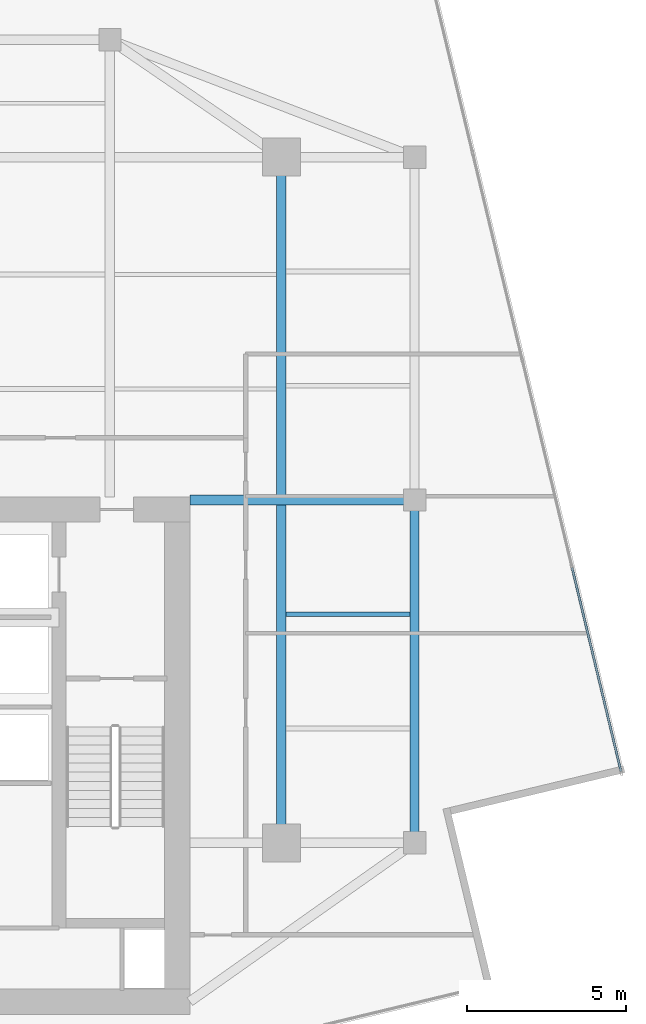
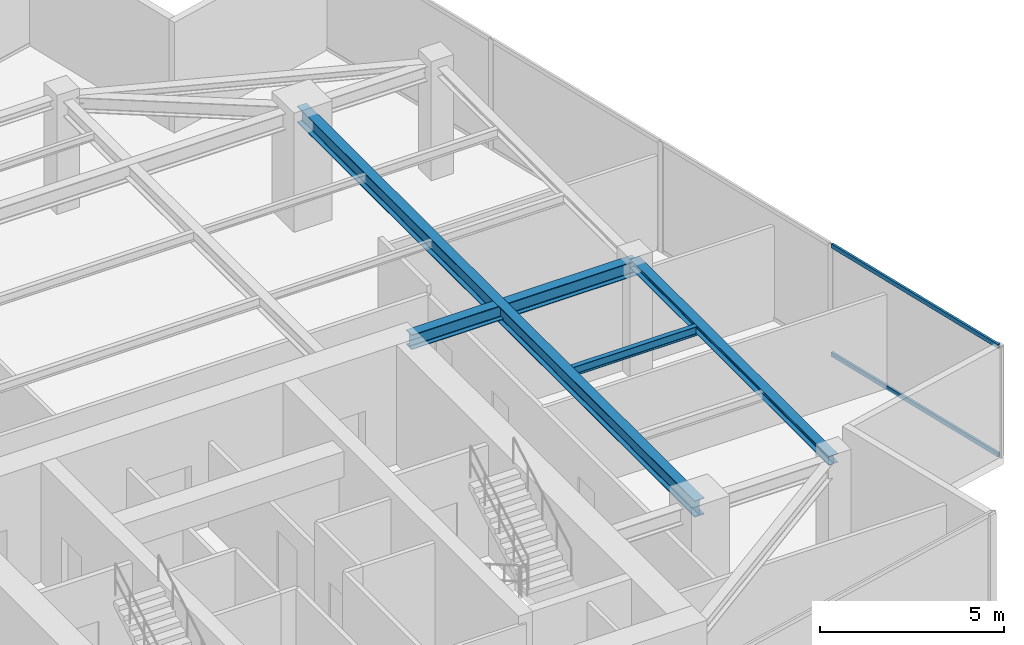
# One storey, part 10 of 22: 4 beams, 2 members, 1 element without a shape of its own.
"""IFC4 building model written with IfcOpenShell, lengths in metres."""

from ifc_helpers import new_model, si_unit, direction, frame, origin, origin_2d, place, context, subcontext, project, spatial, hollow_rectangle, i_section, extrude, source, transform, mapped, material, material_profile, profile_set, type_object, type_shapes, element, aggregate, save


model = new_model("IFC4")

# Units and contexts
model_context = context("Model", 3, precision=1e-05, world=origin(), true_north=direction((0.0, 1.0)))
body_context = subcontext(model_context, "Body", "Model", "MODEL_VIEW")
ifc_project = project(units=[si_unit("LENGTHUNIT", "METRE"), si_unit("AREAUNIT", "SQUARE_METRE"), si_unit("VOLUMEUNIT", "CUBIC_METRE"), si_unit("PLANEANGLEUNIT", "RADIAN"), si_unit("MASSUNIT", "GRAM", prefix="KILO")], contexts=[model_context])

# Site, building, storey
site_placement = place(None, origin())
site = spatial("IfcSite", under=ifc_project, at=site_placement, CompositionType="ELEMENT")
building_placement = place(site_placement, origin())
building = spatial("IfcBuilding", under=site, at=building_placement, Name="Krantzveldt Concourse Tower", CompositionType="ELEMENT")
storey_placement = place(building_placement, frame((0.0, 0.0, 355.35009765625)))
storey = spatial("IfcBuildingStorey", under=building, at=storey_placement, Name="L87", CompositionType="ELEMENT", Elevation=355.35009765625)

# Beams
ifc_material_1 = material(Name="Steel S355JR", Category="steel")
ifc_material_profile_1 = material_profile(ifc_material_1, i_section(OverallWidth=0.300048828125, OverallDepth=0.489990234375, WebThickness=0.011962890625, FlangeThickness=0.02294921875, FilletRadius=0.027099609375, at=origin_2d()), Name="Steel S355JR", Category="steel")
ifc_profile_set_1 = profile_set([ifc_material_profile_1], Name="Steel S355JR - HEA 500")
beam_type_1 = type_object("IfcBeamType", Name="BM-B-HEA500", PredefinedType="BEAM", material=ifc_profile_set_1)
shared_shape_1 = source(origin(), body_context, "Body", "SweptSolid", [
    extrude(i_section(OverallWidth=0.300048828125, OverallDepth=0.489990234375, WebThickness=0.011962890625, FlangeThickness=0.02294921875, FilletRadius=0.027099609375, at=origin_2d()), origin(), (0.0, 0.0, 1.0), 7.080078125),
])
type_shapes(beam_type_1, [shared_shape_1])
beam_1_placement = place(storey_placement, frame((43.919921875, 26.699951171875, 3.4248046875), z_axis=(1.0, 0.0, 0.0), x_axis=(0.0, 1.0, 0.0)))
element("IfcBeam", 1, at=beam_1_placement, inside=storey, type_object=beam_type_1, Name="L87 Tower Girder BG-CE2", PredefinedType="BEAM", context=body_context, shape_type="MappedRepresentation", body=[
    mapped(shared_shape_1, transform((0.0, 0.0, 0.0), x_axis=(1.0, 0.0, 0.0), y_axis=(0.0, 1.0, 0.0), z_axis=(0.0, 0.0, 1.0), scale=1.0)),
])
ifc_material_profile_2 = material_profile(ifc_material_1, i_section(OverallWidth=0.300048828125, OverallDepth=0.5400390625, WebThickness=0.012451171875, FlangeThickness=0.02392578125, FilletRadius=0.027099609375, at=origin_2d()), Name="Steel S355JR", Category="steel")
ifc_profile_set_2 = profile_set([ifc_material_profile_2], Name="Steel S355JR - HEA 550")
beam_type_2 = type_object("IfcBeamType", Name="BM-B-HEA550", PredefinedType="BEAM", material=ifc_profile_set_2)
shared_shape_2 = source(origin(), body_context, "Body", "SweptSolid", [
    extrude(i_section(OverallWidth=0.300048828125, OverallDepth=0.5400390625, WebThickness=0.012451171875, FlangeThickness=0.02392578125, FilletRadius=0.027099609375, at=origin_2d()), origin(), (0.0, 0.0, 1.0), 21.60009765625),
])
type_shapes(beam_type_2, [shared_shape_2])
beam_2_placement = place(storey_placement, frame((46.800048828125, 15.89990234375, 3.39990234375), z_axis=(0.0, 1.0, 0.0), x_axis=(-1.0, 0.0, 0.0)))
element("IfcBeam", 2, at=beam_2_placement, inside=storey, type_object=beam_type_2, Name="L87 Tower Girder BG-ME", PredefinedType="BEAM", context=body_context, shape_type="MappedRepresentation", body=[
    mapped(shared_shape_2, transform((0.0, 0.0, 0.0), x_axis=(1.0, 0.0, 0.0), y_axis=(0.0, 1.0, 0.0), z_axis=(0.0, 0.0, 1.0), scale=1.0)),
])
ifc_material_profile_3 = material_profile(ifc_material_1, i_section(OverallWidth=0.2900390625, OverallDepth=0.2900390625, WebThickness=0.008544921875, FlangeThickness=0.013916015625, FilletRadius=0.027099609375, at=origin_2d()), Name="Steel S355JR", Category="steel")
ifc_profile_set_3 = profile_set([ifc_material_profile_3], Name="Steel S355JR - HEA 300")
beam_type_3 = type_object("IfcBeamType", Name="BM-SP-HEA300", PredefinedType="SPANDREL", material=ifc_profile_set_3)
shared_shape_3 = source(origin(), body_context, "Body", "SweptSolid", [
    extrude(i_section(OverallWidth=0.2900390625, OverallDepth=0.2900390625, WebThickness=0.008544921875, FlangeThickness=0.013916015625, FilletRadius=0.027099609375, at=origin_2d()), origin(), (0.0, 0.0, 1.0), 10.800048828125),
])
type_shapes(beam_type_3, [shared_shape_3])
beam_3_placement = place(storey_placement, frame((51.0, 26.699951171875, 3.52490234375), z_axis=(0.0, -1.0, 0.0), x_axis=(1.0, 0.0, 0.0)))
element("IfcBeam", 3, at=beam_3_placement, inside=storey, type_object=beam_type_3, Name="L87 Tower Girder SP-R07", PredefinedType="SPANDREL", context=body_context, shape_type="MappedRepresentation", body=[
    mapped(shared_shape_3, transform((0.0, 0.0, 0.0), x_axis=(1.0, 0.0, 0.0), y_axis=(0.0, 1.0, 0.0), z_axis=(0.0, 0.0, 1.0), scale=1.0)),
])
ifc_material_profile_4 = material_profile(ifc_material_1, i_section(OverallWidth=0.14990234375, OverallDepth=0.300048828125, WebThickness=0.007080078125, FlangeThickness=0.0107421875, FilletRadius=0.014892578125, at=origin_2d()), Name="Steel S355JR", Category="steel")
ifc_profile_set_4 = profile_set([ifc_material_profile_4], Name="Steel S355JR - IPE 300")
beam_type_4 = type_object("IfcBeamType", Name="BM-J-IPE300", PredefinedType="JOIST", material=ifc_profile_set_4)
shared_shape_4 = source(origin(), body_context, "Body", "SweptSolid", [
    extrude(i_section(OverallWidth=0.14990234375, OverallDepth=0.300048828125, WebThickness=0.007080078125, FlangeThickness=0.0107421875, FilletRadius=0.014892578125, at=origin_2d()), origin(), (0.0, 0.0, 1.0), 3.900146484375),
])
type_shapes(beam_type_4, [shared_shape_4])
beam_4_placement = place(storey_placement, frame((46.949951171875, 23.10009765625, 3.52001953125), z_axis=(1.0, 0.0, 0.0), x_axis=(0.0, 1.0, 0.0)))
element("IfcBeam", 4, at=beam_4_placement, inside=storey, type_object=beam_type_4, Name="L87 Secondary Floor Joist JE-2", PredefinedType="JOIST", context=body_context, shape_type="MappedRepresentation", body=[
    mapped(shared_shape_4, transform((0.0, 0.0, 0.0), x_axis=(1.0, 0.0, 0.0), y_axis=(0.0, 1.0, 0.0), z_axis=(0.0, 0.0, 1.0), scale=1.0)),
])

# Curtain wall, members
ifc_material_2 = material(Name="Anodised aluminium 6063-T6", Category="aluminium")
curtain_wall_type = type_object("IfcCurtainWallType", Name="CW4", PredefinedType="USERDEFINED", material=ifc_material_2)
curtain_wall_placement = place(storey_placement, origin())
curtain_wall = element("IfcCurtainWall", 5, at=curtain_wall_placement, inside=storey, type_object=curtain_wall_type, Name="CW-L87-F10", ObjectType="UNITISED CURTAIN WALL", PredefinedType="USERDEFINED")
ifc_material_profile_5 = material_profile(ifc_material_2, hollow_rectangle(XDim=0.070068359375, YDim=0.139892578125, WallThickness=0.0048828125, at=origin_2d()), Name="Anodised aluminium 6063-T6", Category="aluminium")
ifc_profile_set_5 = profile_set([ifc_material_profile_5], Name="Anodised aluminium 6063-T6 - ALU-TRAN 140x70x5")
member_type = type_object("IfcMemberType", Name="CW-TRN-150", PredefinedType="USERDEFINED", material=ifc_profile_set_5)
shared_shape_5 = source(origin(), body_context, "Body", "SweptSolid", [
    extrude(hollow_rectangle(XDim=0.070068359375, YDim=0.139892578125, WallThickness=0.0048828125, at=origin_2d()), origin(), (0.0, 0.0, 1.0), 6.5947265625),
])
type_shapes(member_type, [shared_shape_5])
member_1_placement = place(storey_placement, frame((57.499267578125, 18.15283203125, 0.034912109375), z_axis=(-0.233448560082, 0.972369153046, 0.0), x_axis=(-0.972369153046, -0.233448560082, 0.0)))
member_1 = element("IfcMember", 6, at=member_1_placement, type_object=member_type, Name="CW-Z56 transom 1.1", ObjectType="TRANSOM", PredefinedType="USERDEFINED", context=body_context, shape_type="MappedRepresentation", body=[
    mapped(shared_shape_5, transform((0.0, 0.0, 0.0), x_axis=(1.0, 0.0, 0.0), y_axis=(0.0, 1.0, 0.0), z_axis=(0.0, 0.0, 1.0), scale=1.0)),
])
member_2_placement = place(storey_placement, frame((57.499267578125, 18.15283203125, 3.635009765625), z_axis=(-0.233448560082, 0.972369153046, 0.0), x_axis=(-0.972369153046, -0.233448560082, 0.0)))
member_2 = element("IfcMember", 7, at=member_2_placement, type_object=member_type, Name="CW-Z56 transom 1.2", ObjectType="TRANSOM", PredefinedType="USERDEFINED", context=body_context, shape_type="MappedRepresentation", body=[
    mapped(shared_shape_5, transform((0.0, 0.0, 0.0), x_axis=(1.0, 0.0, 0.0), y_axis=(0.0, 1.0, 0.0), z_axis=(0.0, 0.0, 1.0), scale=1.0)),
])
aggregate(curtain_wall, [member_1, member_2])

save(model, "model.ifc")
